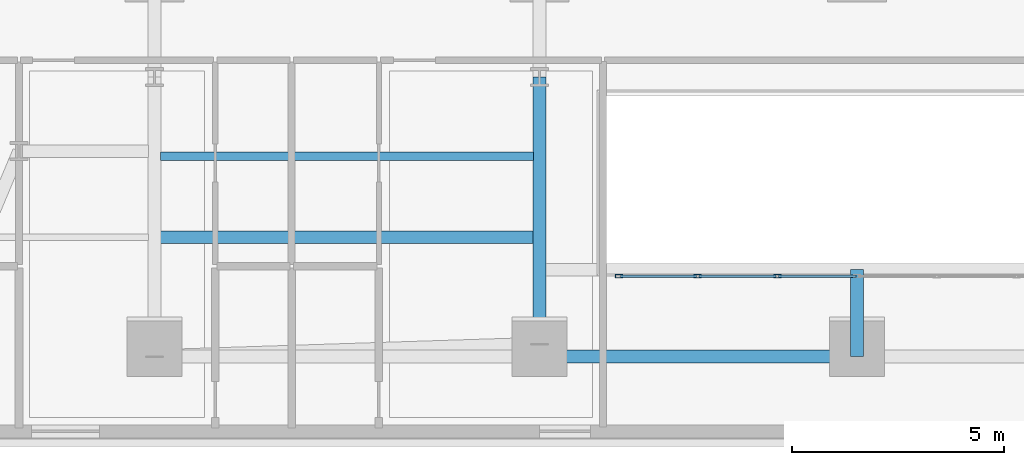
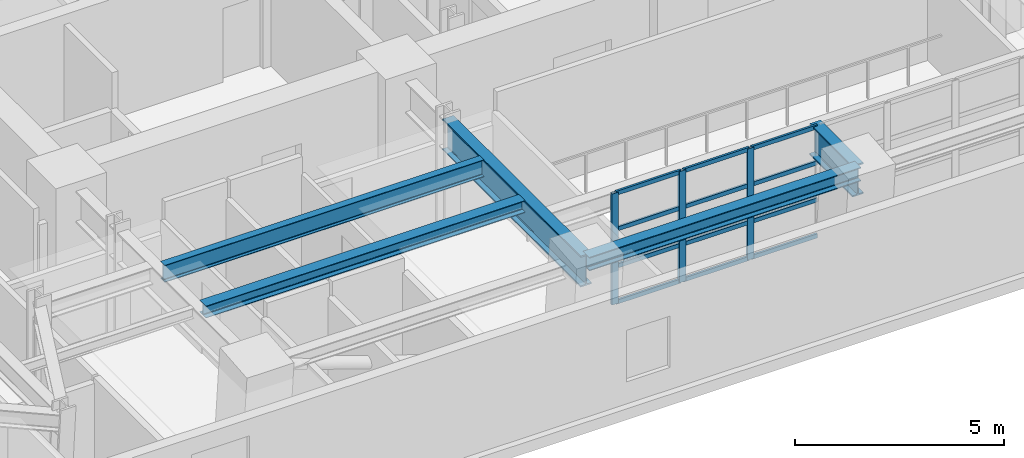
# One storey, part 2 of 16: 15 members, 5 beams, 1 element without a shape of its own.
"""IFC4 building model written with IfcOpenShell, lengths in metres."""

import ifcopenshell
import ifcopenshell.guid

model = None  # the IFC model being written
_history = None  # IfcOwnerHistory: only IFC2X3 demands one
_inside = {}  # id of a spatial element -> (the spatial element, [elements in it])
_under = {}  # id of a project, library or spatial element -> (it, [spatial elements below it])
_declared = {}  # id of a project -> (the project, [libraries it declares])
_typed = {}  # id of a type object -> (the type object, [elements of that type])
_made_of = {}  # id of a material, layer set ... -> (it, [elements and type objects made of it])


def new_model(schema):
    """Start an empty IFC model of exactly this schema.

    Asked for "IFC4X3", IfcOpenShell would pick the latest addendum, in which some entities
    have other attributes; the version numbers below select the first issue.
    IFC2X3 requires an IfcOwnerHistory on every rooted entity: one is made here for all.
    """
    global model, _history
    if schema == "IFC4X3":
        model = ifcopenshell.file(schema_version=(4, 3, 0, 0))
    else:
        model = ifcopenshell.file(schema=schema)
    _inside.clear()
    _under.clear()
    _declared.clear()
    _typed.clear()
    _made_of.clear()
    _history = None
    if model.schema == "IFC2X3":
        org = make("IfcOrganization", Name="unknown")
        user = make(
            "IfcPersonAndOrganization",
            ThePerson=make("IfcPerson", FamilyName="unknown"),
            TheOrganization=org,
        )
        app = make(
            "IfcApplication",
            ApplicationDeveloper=org,
            Version="unknown",
            ApplicationFullName="unknown",
            ApplicationIdentifier="unknown",
        )
        _history = make(
            "IfcOwnerHistory",
            OwningUser=user,
            OwningApplication=app,
            ChangeAction="ADDED",
            CreationDate=0,
        )
    return model


def make(cls, **values):
    """One entity of the class cls with the attributes given. An attribute that is None is left unset."""
    return model.create_entity(
        cls, **{name: value for name, value in values.items() if value is not None}
    )


def rooted(cls, **values):
    """An entity with a GlobalId (a new one), such as an element, a storey or a relation."""
    return make(cls, GlobalId=ifcopenshell.guid.new(), OwnerHistory=_history, **values)


def si_unit(unit_type, name, prefix=None):
    """IfcSIUnit, for example si_unit("LENGTHUNIT", "METRE", prefix="MILLI")."""
    return make("IfcSIUnit", UnitType=unit_type, Prefix=prefix, Name=name)


def assignment(units):
    """IfcUnitAssignment: the units of a project."""
    return None if units is None else make("IfcUnitAssignment", Units=units)


def point(xyz):
    """IfcCartesianPoint."""
    return None if xyz is None else make("IfcCartesianPoint", Coordinates=xyz)


def direction(xyz):
    """IfcDirection."""
    return None if xyz is None else make("IfcDirection", DirectionRatios=xyz)


def frame(location, z_axis=None, x_axis=None):
    """IfcAxis2Placement3D, a coordinate frame: its origin and axes. An axis left out is left unset."""
    return make(
        "IfcAxis2Placement3D",
        Location=point(location),
        Axis=direction(z_axis),
        RefDirection=direction(x_axis),
    )


def frame_2d(location, x_axis=None):
    """IfcAxis2Placement2D, a coordinate frame in the plane: its origin and x axis."""
    return make(
        "IfcAxis2Placement2D", Location=point(location), RefDirection=direction(x_axis)
    )


def origin():
    """The frame at (0, 0, 0) with its axes left unset."""
    return frame((0.0, 0.0, 0.0))


def origin_2d():
    """The frame at (0, 0) in the plane with its x axis left unset."""
    return frame_2d((0.0, 0.0))


def place(relative_to, where):
    """IfcLocalPlacement: puts the frame where relative to a parent placement (None: the world)."""
    return make(
        "IfcLocalPlacement", PlacementRelTo=relative_to, RelativePlacement=where
    )


def context(
    kind, dimensions, precision=None, world=None, true_north=None, identifier=None
):
    """IfcGeometricRepresentationContext, for example the 3D "Model" context."""
    return make(
        "IfcGeometricRepresentationContext",
        ContextIdentifier=identifier,
        ContextType=kind,
        CoordinateSpaceDimension=dimensions,
        Precision=precision,
        WorldCoordinateSystem=world,
        TrueNorth=true_north,
    )


def subcontext(parent, identifier, kind, view, scale=None):
    """IfcGeometricRepresentationSubContext, for example "Body" below "Model"."""
    return make(
        "IfcGeometricRepresentationSubContext",
        ContextIdentifier=identifier,
        ContextType=kind,
        ParentContext=parent,
        TargetScale=scale,
        TargetView=view,
    )


def project(units=None, contexts=None):
    """IfcProject with its units and contexts."""
    return rooted(
        "IfcProject",
        Name="project",
        RepresentationContexts=contexts,
        UnitsInContext=assignment(units),
    )


def spatial(cls, under=None, at=None, **own):
    """A site, building, storey or space (cls), placed at a placement, below another one or the project."""
    s = rooted(cls, ObjectPlacement=at, **own)
    if under is not None:
        _under.setdefault(under.id(), (under, []))[1].append(s)
    return s


def profile(cls, at=None, kind="AREA", **sizes):
    """A parametric profile (cls). Its sizes go by their IFC names, for example OverallWidth=200.0."""
    return make(cls, ProfileType=kind, Position=at, **sizes)


def hollow_rectangle(**sizes):
    """IfcRectangleHollowProfileDef."""
    return profile("IfcRectangleHollowProfileDef", **sizes)


def i_section(**sizes):
    """IfcIShapeProfileDef."""
    return profile("IfcIShapeProfileDef", **sizes)


def extrude(swept, where, along, depth):
    """IfcExtrudedAreaSolid: the profile swept, set in the frame where, extruded along a direction by depth."""
    return make(
        "IfcExtrudedAreaSolid",
        SweptArea=swept,
        Position=where,
        ExtrudedDirection=direction(along),
        Depth=depth,
    )


def shape(context_of_items, identifier, shape_type, items):
    """IfcShapeRepresentation: the items that make up one representation, for example the "Body"."""
    return make(
        "IfcShapeRepresentation",
        ContextOfItems=context_of_items,
        RepresentationIdentifier=identifier,
        RepresentationType=shape_type,
        Items=items,
    )


def material(Name=None, Category=None):
    """IfcMaterial."""
    return make("IfcMaterial", Name=Name, Category=Category)


def layer(
    of_material, thickness, ventilated=None, Name=None, Category=None, Priority=None
):
    """IfcMaterialLayer: one layer of a wall or slab, of a material (None: an air gap)."""
    return make(
        "IfcMaterialLayer",
        Material=of_material,
        LayerThickness=thickness,
        IsVentilated=ventilated,
        Name=Name,
        Category=Category,
        Priority=Priority,
    )


def layer_set(layers, Name=None):
    """IfcMaterialLayerSet."""
    return make("IfcMaterialLayerSet", MaterialLayers=layers, LayerSetName=Name)


def material_profile(
    of_material, cross_section, Name=None, Category=None, Priority=None
):
    """IfcMaterialProfile: a cross section and its material."""
    return make(
        "IfcMaterialProfile",
        Name=Name,
        Material=of_material,
        Profile=cross_section,
        Priority=Priority,
        Category=Category,
    )


def profile_set(profiles, Name=None, composite=None):
    """IfcMaterialProfileSet."""
    return make(
        "IfcMaterialProfileSet",
        Name=Name,
        MaterialProfiles=profiles,
        CompositeProfile=composite,
    )


def made_of(thing, what):
    """Note that an element or type object is made of a material, layer set ...; save() writes the relation."""
    if what is not None:
        _made_of.setdefault(what.id(), (what, []))[1].append(thing)
    return thing


def type_object(cls, material=None, **own):
    """A type object (cls), such as IfcWallType, which elements share."""
    return made_of(rooted(cls, **own), material)


def element(
    cls,
    number,
    at=None,
    inside=None,
    cuts=None,
    type_object=None,
    material=None,
    context=None,
    identifier="Body",
    shape_type=None,
    held_by="IfcProductDefinitionShape",
    body=None,
    shapes=None,
    **own,
):
    """One element of the class cls, such as IfcWall. Its Tag is "e" and its number.

    at: its placement. inside: the storey or other place that contains it. cuts: it is an
    opening in that element (IfcRelVoidsElement). A single representation is given by context,
    identifier, shape_type and body (its items); several are given by shapes. held_by: the class
    of the entity that holds the representations. save() writes the other relations.
    """
    e = rooted(cls, Tag="e%d" % number, ObjectPlacement=at, **own)
    if body is not None:
        shapes = [shape(context, identifier, shape_type, body)]
    if shapes is not None:
        e.Representation = make(held_by, Representations=shapes)
    if inside is not None:
        _inside.setdefault(inside.id(), (inside, []))[1].append(e)
    if cuts is not None:
        rooted(
            "IfcRelVoidsElement", RelatingBuildingElement=cuts, RelatedOpeningElement=e
        )
    if type_object is not None:
        _typed.setdefault(type_object.id(), (type_object, []))[1].append(e)
    return made_of(e, material)


def aggregate(whole, parts):
    """IfcRelAggregates: a whole, such as a stair, and the parts it consists of."""
    return rooted("IfcRelAggregates", RelatingObject=whole, RelatedObjects=parts)


def save(model, path):
    """Write the relations noted so far, then the file.

    IfcRelAggregates (storeys below a building ...), IfcRelContainedInSpatialStructure (elements
    in a storey), IfcRelDefinesByType, IfcRelAssociatesMaterial and IfcRelDeclares: one each for
    every whole, place, type object, material and project.
    """
    for whole, parts in _under.values():
        aggregate(whole, parts)
    for where, things in _inside.values():
        rooted(
            "IfcRelContainedInSpatialStructure",
            RelatedElements=things,
            RelatingStructure=where,
        )
    for kind, things in _typed.values():
        rooted("IfcRelDefinesByType", RelatedObjects=things, RelatingType=kind)
    for what, things in _made_of.values():
        rooted("IfcRelAssociatesMaterial", RelatedObjects=things, RelatingMaterial=what)
    for by, libraries in _declared.values():
        rooted("IfcRelDeclares", RelatingContext=by, RelatedDefinitions=libraries)
    model.write(path)


model = new_model("IFC4")

# Units and contexts
model_context = context("Model", 3, precision=1e-05, world=origin(), true_north=direction((0.0, 1.0)))
body_context = subcontext(model_context, "Body", "Model", "MODEL_VIEW")
ifc_project = project(units=[si_unit("LENGTHUNIT", "METRE"), si_unit("AREAUNIT", "SQUARE_METRE"), si_unit("VOLUMEUNIT", "CUBIC_METRE"), si_unit("PLANEANGLEUNIT", "RADIAN"), si_unit("MASSUNIT", "GRAM", prefix="KILO")], contexts=[model_context])

# Site, building, storey
site_placement = place(None, origin())
site = spatial("IfcSite", under=ifc_project, at=site_placement, CompositionType="ELEMENT")
building_placement = place(site_placement, origin())
building = spatial("IfcBuilding", under=site, at=building_placement, Name="Zarnavel Station Tower", CompositionType="ELEMENT")
storey_placement = place(building_placement, frame((0.0, 0.0, 79.300048828125)))
storey = spatial("IfcBuildingStorey", under=building, at=storey_placement, Name="L21", CompositionType="ELEMENT", Elevation=79.300048828125)

# Curtain wall, members
ifc_material_1 = material(Name="Aluminium Dark Anodised and Solar-Control Glass", Category="aluminium")
ifc_layer = layer(ifc_material_1, 0.179931640625)
ifc_layer_set = layer_set([ifc_layer], Name="CWS3")
curtain_wall_type = type_object("IfcCurtainWallType", Name="CWS3", PredefinedType="NOTDEFINED", material=ifc_layer_set)
curtain_wall_placement = place(storey_placement, origin())
curtain_wall = element("IfcCurtainWall", 1, at=curtain_wall_placement, inside=storey, type_object=curtain_wall_type, Name="L21 Curtain Wall CWS3-L21-AS", PredefinedType="NOTDEFINED")
ifc_material_2 = material(Name="Steel S355J2 (Black Fluoropolymer Coated)", Category="steel")
ifc_material_profile_1 = material_profile(ifc_material_2, hollow_rectangle(XDim=0.080078125, YDim=0.179931640625, WallThickness=0.00634765625, at=origin_2d()), Name="RHS180x80x6.3")
ifc_profile_set_1 = profile_set([ifc_material_profile_1], Name="Steel S355J2 (Black Fluoropolymer Coated)")
member_type_1 = type_object("IfcMemberType", Name="CWS3_MUL", PredefinedType="MULLION", material=ifc_profile_set_1)
member_1_placement = place(storey_placement, frame((23.179931640625, 20.64990234375, 0.0), z_axis=(0.0, 0.0, 1.0), x_axis=(0.0, 1.0, 0.0)))
member_1 = element("IfcMember", 2, at=member_1_placement, type_object=member_type_1, Name="CW3 mullion 1", PredefinedType="MULLION", context=body_context, shape_type="SweptSolid", body=[
    extrude(hollow_rectangle(XDim=0.080078125, YDim=0.179931640625, WallThickness=0.00634765625, at=origin_2d()), origin(), (0.0, 0.0, 1.0), 3.239990234375),
])
member_2_placement = place(storey_placement, frame((25.033447265625, 20.64990234375, 0.0), z_axis=(0.0, 0.0, 1.0), x_axis=(0.0, 1.0, 0.0)))
member_2 = element("IfcMember", 3, at=member_2_placement, type_object=member_type_1, Name="CW3 mullion 2", PredefinedType="MULLION", context=body_context, shape_type="SweptSolid", body=[
    extrude(hollow_rectangle(XDim=0.080078125, YDim=0.179931640625, WallThickness=0.00634765625, at=origin_2d()), origin(), (0.0, 0.0, 1.0), 3.239990234375),
])
member_3_placement = place(storey_placement, frame((26.916748046875, 20.64990234375, 0.0), z_axis=(0.0, 0.0, 1.0), x_axis=(0.0, 1.0, 0.0)))
member_3 = element("IfcMember", 4, at=member_3_placement, type_object=member_type_1, Name="CW3 mullion 3", PredefinedType="MULLION", context=body_context, shape_type="SweptSolid", body=[
    extrude(hollow_rectangle(XDim=0.080078125, YDim=0.179931640625, WallThickness=0.00634765625, at=origin_2d()), origin(), (0.0, 0.0, 1.0), 3.239990234375),
])
ifc_material_3 = material(Name="Steel S355J2 (Black Fluoropolymer Coated)", Category="steel")
ifc_material_profile_2 = material_profile(ifc_material_3, hollow_rectangle(XDim=0.06005859375, YDim=0.1201171875, WallThickness=0.0048828125, at=origin_2d()), Name="RHS120x60x5")
ifc_profile_set_2 = profile_set([ifc_material_profile_2], Name="Steel S355J2 (Black Fluoropolymer Coated)")
member_type_2 = type_object("IfcMemberType", Name="CWS3_TRN", PredefinedType="USERDEFINED", material=ifc_profile_set_2)
member_4_placement = place(storey_placement, frame((23.2099609375, 20.64990234375, 0.030029296875), z_axis=(1.0, 0.0, 0.0), x_axis=(0.0, 1.0, 0.0)))
member_4 = element("IfcMember", 5, at=member_4_placement, type_object=member_type_2, Name="CW3 transom 1.1", ObjectType="TRANSOM", PredefinedType="USERDEFINED", context=body_context, shape_type="SweptSolid", body=[
    extrude(hollow_rectangle(XDim=0.06005859375, YDim=0.1201171875, WallThickness=0.0048828125, at=origin_2d()), origin(), (0.0, 0.0, 1.0), 1.79345703125),
])
member_5_placement = place(storey_placement, frame((23.2099609375, 20.64990234375, 1.079833984375), z_axis=(1.0, 0.0, 0.0), x_axis=(0.0, 1.0, 0.0)))
member_5 = element("IfcMember", 6, at=member_5_placement, type_object=member_type_2, Name="CW3 transom 1.2", ObjectType="TRANSOM", PredefinedType="USERDEFINED", context=body_context, shape_type="SweptSolid", body=[
    extrude(hollow_rectangle(XDim=0.06005859375, YDim=0.1201171875, WallThickness=0.0048828125, at=origin_2d()), origin(), (0.0, 0.0, 1.0), 1.79345703125),
])
member_6_placement = place(storey_placement, frame((23.2099609375, 20.64990234375, 2.159912109375), z_axis=(1.0, 0.0, 0.0), x_axis=(0.0, 1.0, 0.0)))
member_6 = element("IfcMember", 7, at=member_6_placement, type_object=member_type_2, Name="CW3 transom 1.3", ObjectType="TRANSOM", PredefinedType="USERDEFINED", context=body_context, shape_type="SweptSolid", body=[
    extrude(hollow_rectangle(XDim=0.06005859375, YDim=0.1201171875, WallThickness=0.0048828125, at=origin_2d()), origin(), (0.0, 0.0, 1.0), 1.79345703125),
])
member_7_placement = place(storey_placement, frame((23.2099609375, 20.64990234375, 3.2099609375), z_axis=(1.0, 0.0, 0.0), x_axis=(0.0, 1.0, 0.0)))
member_7 = element("IfcMember", 8, at=member_7_placement, type_object=member_type_2, Name="CW3 transom 1.4", ObjectType="TRANSOM", PredefinedType="USERDEFINED", context=body_context, shape_type="SweptSolid", body=[
    extrude(hollow_rectangle(XDim=0.06005859375, YDim=0.1201171875, WallThickness=0.0048828125, at=origin_2d()), origin(), (0.0, 0.0, 1.0), 1.79345703125),
])
member_8_placement = place(storey_placement, frame((25.063232421875, 20.64990234375, 0.030029296875), z_axis=(1.0, 0.0, 0.0), x_axis=(0.0, 1.0, 0.0)))
member_8 = element("IfcMember", 9, at=member_8_placement, type_object=member_type_2, Name="CW3 transom 2.1", ObjectType="TRANSOM", PredefinedType="USERDEFINED", context=body_context, shape_type="SweptSolid", body=[
    extrude(hollow_rectangle(XDim=0.06005859375, YDim=0.1201171875, WallThickness=0.0048828125, at=origin_2d()), origin(), (0.0, 0.0, 1.0), 1.823486328125),
])
member_9_placement = place(storey_placement, frame((25.063232421875, 20.64990234375, 1.079833984375), z_axis=(1.0, 0.0, 0.0), x_axis=(0.0, 1.0, 0.0)))
member_9 = element("IfcMember", 10, at=member_9_placement, type_object=member_type_2, Name="CW3 transom 2.2", ObjectType="TRANSOM", PredefinedType="USERDEFINED", context=body_context, shape_type="SweptSolid", body=[
    extrude(hollow_rectangle(XDim=0.06005859375, YDim=0.1201171875, WallThickness=0.0048828125, at=origin_2d()), origin(), (0.0, 0.0, 1.0), 1.823486328125),
])
member_10_placement = place(storey_placement, frame((25.063232421875, 20.64990234375, 2.159912109375), z_axis=(1.0, 0.0, 0.0), x_axis=(0.0, 1.0, 0.0)))
member_10 = element("IfcMember", 11, at=member_10_placement, type_object=member_type_2, Name="CW3 transom 2.3", ObjectType="TRANSOM", PredefinedType="USERDEFINED", context=body_context, shape_type="SweptSolid", body=[
    extrude(hollow_rectangle(XDim=0.06005859375, YDim=0.1201171875, WallThickness=0.0048828125, at=origin_2d()), origin(), (0.0, 0.0, 1.0), 1.823486328125),
])
member_11_placement = place(storey_placement, frame((25.063232421875, 20.64990234375, 3.2099609375), z_axis=(1.0, 0.0, 0.0), x_axis=(0.0, 1.0, 0.0)))
member_11 = element("IfcMember", 12, at=member_11_placement, type_object=member_type_2, Name="CW3 transom 2.4", ObjectType="TRANSOM", PredefinedType="USERDEFINED", context=body_context, shape_type="SweptSolid", body=[
    extrude(hollow_rectangle(XDim=0.06005859375, YDim=0.1201171875, WallThickness=0.0048828125, at=origin_2d()), origin(), (0.0, 0.0, 1.0), 1.823486328125),
])
member_12_placement = place(storey_placement, frame((26.94677734375, 20.64990234375, 0.030029296875), z_axis=(1.0, 0.0, 0.0), x_axis=(0.0, 1.0, 0.0)))
member_12 = element("IfcMember", 13, at=member_12_placement, type_object=member_type_2, Name="CW3 transom 3.1", ObjectType="TRANSOM", PredefinedType="USERDEFINED", context=body_context, shape_type="SweptSolid", body=[
    extrude(hollow_rectangle(XDim=0.06005859375, YDim=0.1201171875, WallThickness=0.0048828125, at=origin_2d()), origin(), (0.0, 0.0, 1.0), 1.8232421875),
])
member_13_placement = place(storey_placement, frame((26.94677734375, 20.64990234375, 1.079833984375), z_axis=(1.0, 0.0, 0.0), x_axis=(0.0, 1.0, 0.0)))
member_13 = element("IfcMember", 14, at=member_13_placement, type_object=member_type_2, Name="CW3 transom 3.2", ObjectType="TRANSOM", PredefinedType="USERDEFINED", context=body_context, shape_type="SweptSolid", body=[
    extrude(hollow_rectangle(XDim=0.06005859375, YDim=0.1201171875, WallThickness=0.0048828125, at=origin_2d()), origin(), (0.0, 0.0, 1.0), 1.8232421875),
])
member_14_placement = place(storey_placement, frame((26.94677734375, 20.64990234375, 2.159912109375), z_axis=(1.0, 0.0, 0.0), x_axis=(0.0, 1.0, 0.0)))
member_14 = element("IfcMember", 15, at=member_14_placement, type_object=member_type_2, Name="CW3 transom 3.3", ObjectType="TRANSOM", PredefinedType="USERDEFINED", context=body_context, shape_type="SweptSolid", body=[
    extrude(hollow_rectangle(XDim=0.06005859375, YDim=0.1201171875, WallThickness=0.0048828125, at=origin_2d()), origin(), (0.0, 0.0, 1.0), 1.8232421875),
])
member_15_placement = place(storey_placement, frame((26.94677734375, 20.64990234375, 3.2099609375), z_axis=(1.0, 0.0, 0.0), x_axis=(0.0, 1.0, 0.0)))
member_15 = element("IfcMember", 16, at=member_15_placement, type_object=member_type_2, Name="CW3 transom 3.4", ObjectType="TRANSOM", PredefinedType="USERDEFINED", context=body_context, shape_type="SweptSolid", body=[
    extrude(hollow_rectangle(XDim=0.06005859375, YDim=0.1201171875, WallThickness=0.0048828125, at=origin_2d()), origin(), (0.0, 0.0, 1.0), 1.8232421875),
])
aggregate(curtain_wall, [member_1, member_2, member_3, member_4, member_5, member_6, member_7, member_8, member_9, member_10, member_11, member_12, member_13, member_14, member_15])

# Beams
ifc_material_4 = material(Name="Steel S355J2", Category="steel")
ifc_material_profile_3 = material_profile(ifc_material_4, i_section(OverallWidth=0.300048828125, OverallDepth=0.39990234375, WebThickness=0.013427734375, FlangeThickness=0.02392578125, FilletRadius=0.027099609375, at=origin_2d()), Name="HEB400")
ifc_profile_set_3 = profile_set([ifc_material_profile_3], Name="Steel S355J2")
beam_type_1 = type_object("IfcBeamType", Name="EB_HEB400", PredefinedType="SPANDREL", material=ifc_profile_set_3)
beam_1_placement = place(storey_placement, frame((21.300048828125, 18.748291015625, 3.0400390625), z_axis=(1.0, 0.0, 0.0), x_axis=(0.0, 1.0, 0.0)))
element("IfcBeam", 17, at=beam_1_placement, inside=storey, type_object=beam_type_1, Name="L21 South Raked Spandrel 2", PredefinedType="SPANDREL", context=body_context, shape_type="SweptSolid", body=[
    extrude(i_section(OverallWidth=0.300048828125, OverallDepth=0.39990234375, WebThickness=0.013427734375, FlangeThickness=0.02392578125, FilletRadius=0.027099609375, at=origin_2d()), origin(), (0.0, 0.0, 1.0), 7.5),
])
ifc_material_5 = material(Name="Steel S355J2", Category="steel")
ifc_material_profile_4 = material_profile(ifc_material_5, i_section(OverallWidth=0.300048828125, OverallDepth=0.35009765625, WebThickness=0.010009765625, FlangeThickness=0.017578125, FilletRadius=0.027099609375, at=origin_2d()), Name="HEA360")
ifc_profile_set_4 = profile_set([ifc_material_profile_4], Name="Steel S355J2")
beam_type_2 = type_object("IfcBeamType", Name="FB_HEA360", PredefinedType="BEAM", material=ifc_profile_set_4)
beam_2_placement = place(storey_placement, frame((12.344970703125, 21.5654296875, 3.06494140625), z_axis=(1.0, 0.0, 0.0), x_axis=(0.0, 1.0, 0.0)))
element("IfcBeam", 18, at=beam_2_placement, inside=storey, type_object=beam_type_2, Name="L21 West Bay Beam 1", PredefinedType="BEAM", context=body_context, shape_type="SweptSolid", body=[
    extrude(i_section(OverallWidth=0.300048828125, OverallDepth=0.35009765625, WebThickness=0.010009765625, FlangeThickness=0.017578125, FilletRadius=0.027099609375, at=origin_2d()), origin(), (0.0, 0.0, 1.0), 8.81005859375),
])
ifc_material_6 = material(Name="Steel S355J2", Category="steel")
ifc_material_profile_5 = material_profile(ifc_material_6, i_section(OverallWidth=0.199951171875, OverallDepth=0.5, WebThickness=0.01025390625, FlangeThickness=0.01611328125, FilletRadius=0.02099609375, at=origin_2d()), Name="IPE500")
ifc_profile_set_5 = profile_set([ifc_material_profile_5], Name="Steel S355J2")
beam_type_3 = type_object("IfcBeamType", Name="FB_IPE500", PredefinedType="BEAM", material=ifc_profile_set_5)
beam_3_placement = place(storey_placement, frame((12.344970703125, 23.482666015625, 2.989990234375), z_axis=(1.0, 0.0, 0.0), x_axis=(0.0, 1.0, 0.0)))
element("IfcBeam", 19, at=beam_3_placement, inside=storey, type_object=beam_type_3, Name="L21 West Bay Beam 2", PredefinedType="BEAM", context=body_context, shape_type="SweptSolid", body=[
    extrude(i_section(OverallWidth=0.199951171875, OverallDepth=0.5, WebThickness=0.01025390625, FlangeThickness=0.01611328125, FilletRadius=0.02099609375, at=origin_2d()), origin(), (0.0, 0.0, 1.0), 8.81005859375),
])
ifc_material_7 = material(Name="Steel S460M", Category="steel")
ifc_material_profile_6 = material_profile(ifc_material_7, i_section(OverallWidth=0.302001953125, OverallDepth=0.909912109375, WebThickness=0.02099609375, FlangeThickness=0.0400390625, FilletRadius=0.030029296875, at=origin_2d()), Name="HEM900")
ifc_profile_set_6 = profile_set([ifc_material_profile_6], Name="Steel S460M")
beam_type_4 = type_object("IfcBeamType", Name="TG_HEM900", PredefinedType="USERDEFINED", material=ifc_profile_set_6)
beam_4_placement = place(storey_placement, frame((21.300048828125, 18.748291015625, 2.784912109375), z_axis=(0.0, 1.0, 0.0), x_axis=(-1.0, 0.0, 0.0)))
element("IfcBeam", 20, at=beam_4_placement, inside=storey, type_object=beam_type_4, Name="L21 South-Zone NS Girder 2", ObjectType="GIRDER", PredefinedType="USERDEFINED", context=body_context, shape_type="SweptSolid", body=[
    extrude(i_section(OverallWidth=0.302001953125, OverallDepth=0.909912109375, WebThickness=0.02099609375, FlangeThickness=0.0400390625, FilletRadius=0.030029296875, at=origin_2d()), origin(), (0.0, 0.0, 1.0), 6.601806640625),
])
beam_5_placement = place(storey_placement, frame((28.800048828125, 18.748291015625, 2.784912109375), z_axis=(0.0, 1.0, 0.0), x_axis=(-1.0, 0.0, 0.0)))
element("IfcBeam", 21, at=beam_5_placement, inside=storey, type_object=beam_type_4, Name="L21 Central Atrium-South Girder", ObjectType="GIRDER", PredefinedType="USERDEFINED", context=body_context, shape_type="SweptSolid", body=[
    extrude(i_section(OverallWidth=0.302001953125, OverallDepth=0.909912109375, WebThickness=0.02099609375, FlangeThickness=0.0400390625, FilletRadius=0.030029296875, at=origin_2d()), origin(), (0.0, 0.0, 1.0), 2.0517578125),
])

save(model, "model.ifc")
